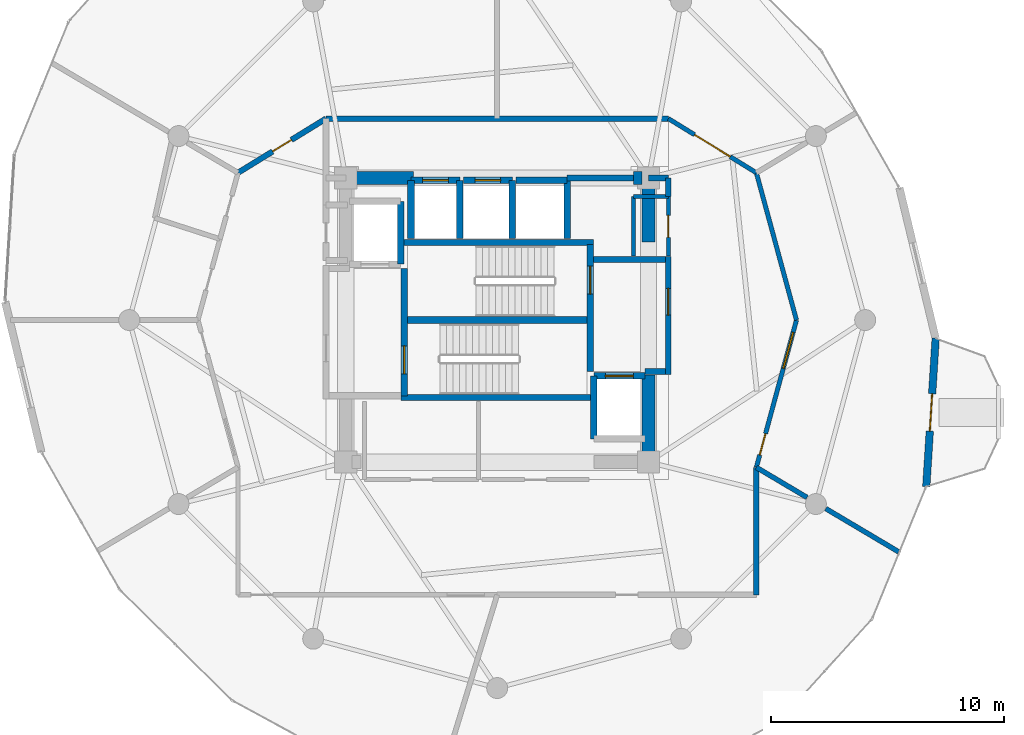
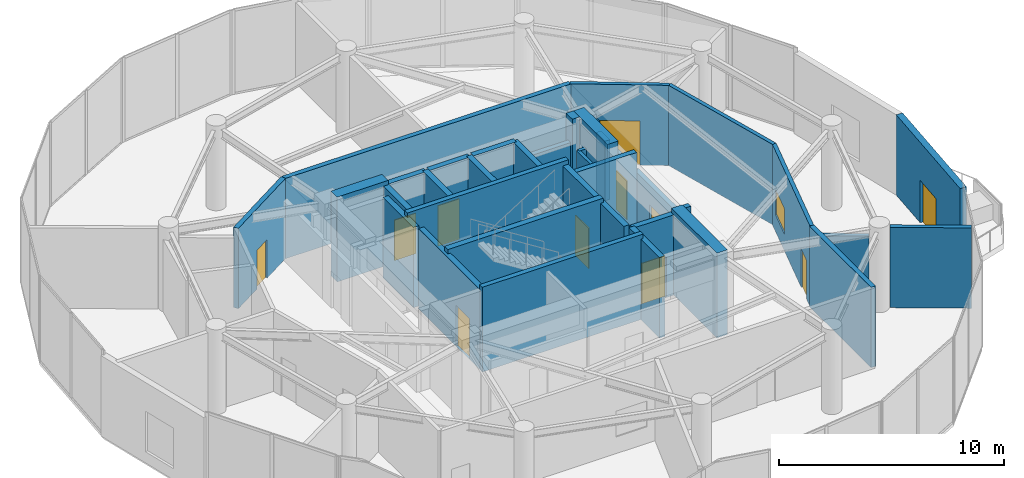
# One storey, part 20 of 23: 37 walls, 11 doors, 1 window, 12 openings.
"""IFC4 building model written with IfcOpenShell, lengths in metres."""

from ifc_helpers import new_model, si_unit, direction, frame, frame_2d, origin, place, context, subcontext, project, spatial, rectangle, extrude, material, layer, layer_set, type_object, element, fill, save


model = new_model("IFC4")

# Units and contexts
model_context = context("Model", 3, precision=1e-05, world=origin(), true_north=direction((0.0, 1.0)))
body_context = subcontext(model_context, "Body", "Model", "MODEL_VIEW")
ifc_project = project(units=[si_unit("LENGTHUNIT", "METRE"), si_unit("AREAUNIT", "SQUARE_METRE"), si_unit("VOLUMEUNIT", "CUBIC_METRE"), si_unit("PLANEANGLEUNIT", "RADIAN"), si_unit("MASSUNIT", "GRAM", prefix="KILO")], contexts=[model_context])

# Site, building, storey
site_placement = place(None, origin())
site = spatial("IfcSite", under=ifc_project, at=site_placement, CompositionType="ELEMENT")
building_placement = place(site_placement, origin())
building = spatial("IfcBuilding", under=site, at=building_placement, Name="Solvirekh Grand Hotel", CompositionType="ELEMENT")
storey_placement = place(building_placement, frame((0.0, 0.0, 168.60009765625)))
storey = spatial("IfcBuildingStorey", under=building, at=storey_placement, Name="L43", CompositionType="ELEMENT", Elevation=168.60009765625)

# Walls
ifc_material_1 = material(Name="Concrete C50/60", Category="concrete")
ifc_layer_1 = layer(ifc_material_1, 0.35009765625)
ifc_layer_set_1 = layer_set([ifc_layer_1], Name="Concrete C50/60")
wall_type_1 = type_object("IfcWallType", Name="CoreDivWall_RC350", PredefinedType="SOLIDWALL", material=ifc_layer_set_1)
for number, where, z_axis, x_axis, name in (
    (1, (-4.1298828125, -3.324951171875, 0.0), (0.0, 0.0, 1.0), (1.0, 0.0, 0.0), "L43 core stair box wall ST-S"),
    (2, (-4.1298828125, 3.324951171875, 0.0), (0.0, 0.0, 1.0), (1.0, 0.0, 0.0), "L43 core stair box wall ST-N"),
):
    element("IfcWall", number, at=place(storey_placement, frame(where, z_axis=z_axis, x_axis=x_axis)), inside=storey, type_object=wall_type_1, Name=name, PredefinedType="SOLIDWALL", context=body_context, shape_type="SweptSolid", body=[
        extrude(rectangle(XDim=8.259765625, YDim=0.25, at=frame_2d((4.1298828125, 0.0))), origin(), (0.0, 0.0, 1.0), 4.599853515625),
    ])

# Wall, opening, door
ifc_material_2 = material(Name="Concrete C40/50", Category="concrete")
ifc_layer_2 = layer(ifc_material_2, 0.280029296875)
ifc_layer_set_2 = layer_set([ifc_layer_2], Name="Concrete C40/50")
wall_type_2 = type_object("IfcWallType", Name="CoreShaftWall_RC280", PredefinedType="SOLIDWALL", material=ifc_layer_set_2)
wall_1_placement = place(storey_placement, frame((-1.60009765625, 6.0, 0.0), z_axis=(0.0, 0.0, 1.0), x_axis=(-1.0, 0.0, 0.0)))
wall_1 = element("IfcWall", 3, at=wall_1_placement, inside=storey, type_object=wall_type_2, Name="L43 HP-1 hoistway N wall", PredefinedType="SOLIDWALL", context=body_context, shape_type="SweptSolid", body=[
    extrude(rectangle(XDim=2.099853515625, YDim=0.280029296875, at=frame_2d((1.0498046875, 0.0))), origin(), (0.0, 0.0, 1.0), 4.35986328125),
])
opening_1_placement = place(wall_1_placement, frame((0.5, 0.0, 0.0)))
opening_1 = element("IfcOpeningElement", 4, at=opening_1_placement, cuts=wall_1, Name="Opening LD01", PredefinedType="OPENING", context=body_context, shape_type="SweptSolid", body=[
    extrude(rectangle(XDim=1.10009765625, YDim=2.199951171875, at=frame_2d((0.550048828125, 1.10009765625))), frame((0.0, 0.14990234375, 0.0), z_axis=(0.0, -1.0, 0.0), x_axis=(1.0, 0.0, 0.0)), (0.0, 0.0, 1.0), 0.300048828125),
])
ifc_material_3 = material(Name="Fire-Rated Steel Door Assembly", Category="steel")
door_type_1 = type_object("IfcDoorType", Name="Door_LiftLanding_1100X2200", OperationType="SLIDING_TO_LEFT", PredefinedType="DOOR", material=ifc_material_3)
door_1_placement = place(opening_1_placement, origin())
door_1 = element("IfcDoor", 5, at=door_1_placement, inside=storey, type_object=door_type_1, Name="L43 HP-1 sliding lift landing door", OperationType="SLIDING_TO_LEFT", OverallHeight=2.199951171875, OverallWidth=1.10009765625, PredefinedType="DOOR", context=body_context, shape_type="SweptSolid", body=[
    extrude(rectangle(XDim=1.10009765625, YDim=2.199951171875, at=frame_2d((0.550048828125, 1.10009765625))), frame((0.0, 0.02490234375, 0.0), z_axis=(0.0, -1.0, 0.0), x_axis=(1.0, 0.0, 0.0)), (0.0, 0.0, 1.0), 0.050048828125),
])
fill(opening_1, door_1)

# Walls
for number, where, z_axis, x_axis, name in (
    (6, (-3.699951171875, 6.0, 0.0), (0.0, 0.0, 1.0), (0.0, -1.0, 0.0), "L43 HP-1 hoistway W wall"),
    (7, (-1.60009765625, 3.5, 0.0), (0.0, 0.0, 1.0), (0.0, 1.0, 0.0), "L43 HP-1 hoistway E wall"),
):
    element("IfcWall", number, at=place(storey_placement, frame(where, z_axis=z_axis, x_axis=x_axis)), inside=storey, type_object=wall_type_2, Name=name, PredefinedType="SOLIDWALL", context=body_context, shape_type="SweptSolid", body=[
        extrude(rectangle(XDim=2.5, YDim=0.280029296875, at=frame_2d((1.25, 0.0))), origin(), (0.0, 0.0, 1.0), 4.35986328125),
    ])

# Wall, opening, door
wall_2_placement = place(storey_placement, frame((0.64990234375, 6.0, 0.0), z_axis=(0.0, 0.0, 1.0), x_axis=(-1.0, 0.0, 0.0)))
wall_2 = element("IfcWall", 8, at=wall_2_placement, inside=storey, type_object=wall_type_2, Name="L43 HP-2 hoistway N wall", PredefinedType="SOLIDWALL", context=body_context, shape_type="SweptSolid", body=[
    extrude(rectangle(XDim=2.099853515625, YDim=0.280029296875, at=frame_2d((1.0498046875, 0.0))), origin(), (0.0, 0.0, 1.0), 4.35986328125),
])
opening_2_placement = place(wall_2_placement, frame((0.5, 0.0, 0.0)))
opening_2 = element("IfcOpeningElement", 9, at=opening_2_placement, cuts=wall_2, Name="Opening LD01", PredefinedType="OPENING", context=body_context, shape_type="SweptSolid", body=[
    extrude(rectangle(XDim=1.10009765625, YDim=2.199951171875, at=frame_2d((0.550048828125, 1.10009765625))), frame((0.0, 0.14990234375, 0.0), z_axis=(0.0, -1.0, 0.0), x_axis=(1.0, 0.0, 0.0)), (0.0, 0.0, 1.0), 0.300048828125),
])
door_2_placement = place(opening_2_placement, origin())
door_2 = element("IfcDoor", 10, at=door_2_placement, inside=storey, type_object=door_type_1, Name="L43 HP-2 sliding lift landing door", OperationType="SLIDING_TO_LEFT", OverallHeight=2.199951171875, OverallWidth=1.10009765625, PredefinedType="DOOR", context=body_context, shape_type="SweptSolid", body=[
    extrude(rectangle(XDim=1.10009765625, YDim=2.199951171875, at=frame_2d((0.550048828125, 1.10009765625))), frame((0.0, 0.02490234375, 0.0), z_axis=(0.0, -1.0, 0.0), x_axis=(1.0, 0.0, 0.0)), (0.0, 0.0, 1.0), 0.050048828125),
])
fill(opening_2, door_2)

# Walls
wall_3_placement = place(storey_placement, frame((0.64990234375, 3.5, 0.0), z_axis=(0.0, 0.0, 1.0), x_axis=(0.0, 1.0, 0.0)))
element("IfcWall", 11, at=wall_3_placement, inside=storey, type_object=wall_type_2, Name="L43 HP-2 hoistway E wall", PredefinedType="SOLIDWALL", context=body_context, shape_type="SweptSolid", body=[
    extrude(rectangle(XDim=2.5, YDim=0.280029296875, at=frame_2d((1.25, 0.0))), origin(), (0.0, 0.0, 1.0), 4.35986328125),
])
wall_4_placement = place(storey_placement, frame((3.0, 6.0, 0.0), z_axis=(0.0, 0.0, 1.0), x_axis=(-1.0, 0.0, 0.0)))
element("IfcWall", 12, at=wall_4_placement, inside=storey, type_object=wall_type_2, Name="L43 EX-1 hoistway N wall", PredefinedType="SOLIDWALL", context=body_context, shape_type="SweptSolid", body=[
    extrude(rectangle(XDim=2.199951171875, YDim=0.280029296875, at=frame_2d((1.10009765625, 0.0))), origin(), (0.0, 0.0, 1.0), 4.35986328125),
])
wall_5_placement = place(storey_placement, frame((3.0, 3.5, 0.0), z_axis=(0.0, 0.0, 1.0), x_axis=(0.0, 1.0, 0.0)))
element("IfcWall", 13, at=wall_5_placement, inside=storey, type_object=wall_type_2, Name="L43 EX-1 hoistway E wall", PredefinedType="SOLIDWALL", context=body_context, shape_type="SweptSolid", body=[
    extrude(rectangle(XDim=2.5, YDim=0.280029296875, at=frame_2d((1.25, 0.0))), origin(), (0.0, 0.0, 1.0), 4.35986328125),
])
wall_6_placement = place(storey_placement, frame((-4.14990234375, 2.39990234375, 0.0), z_axis=(0.0, 0.0, 1.0), x_axis=(0.0, 1.0, 0.0)))
element("IfcWall", 14, at=wall_6_placement, inside=storey, type_object=wall_type_2, Name="L43 FL-1 hoistway E wall", PredefinedType="SOLIDWALL", context=body_context, shape_type="SweptSolid", body=[
    extrude(rectangle(XDim=2.7001953125, YDim=0.280029296875, at=frame_2d((1.35009765625, 0.0))), origin(), (0.0, 0.0, 1.0), 4.35986328125),
])

# Wall, opening, door
wall_7_placement = place(storey_placement, frame((6.35009765625, -2.39990234375, 0.0), z_axis=(0.0, 0.0, 1.0), x_axis=(-1.0, 0.0, 0.0)))
wall_7 = element("IfcWall", 15, at=wall_7_placement, inside=storey, type_object=wall_type_2, Name="L43 FL-2 hoistway N wall", PredefinedType="SOLIDWALL", context=body_context, shape_type="SweptSolid", body=[
    extrude(rectangle(XDim=2.2001953125, YDim=0.280029296875, at=frame_2d((1.10009765625, 0.0))), origin(), (0.0, 0.0, 1.0), 4.35986328125),
])
opening_3_placement = place(wall_7_placement, frame((0.5, 0.0, 0.0)))
opening_3 = element("IfcOpeningElement", 16, at=opening_3_placement, cuts=wall_7, Name="Opening LD02", PredefinedType="OPENING", context=body_context, shape_type="SweptSolid", body=[
    extrude(rectangle(XDim=1.199951171875, YDim=2.199951171875, at=frame_2d((0.60009765625, 1.10009765625))), frame((0.0, 0.14990234375, 0.0), z_axis=(0.0, -1.0, 0.0), x_axis=(1.0, 0.0, 0.0)), (0.0, 0.0, 1.0), 0.300048828125),
])
door_type_2 = type_object("IfcDoorType", Name="Door_LiftFF_1200X2200", OperationType="SLIDING_TO_LEFT", PredefinedType="DOOR", material=ifc_material_3)
door_3_placement = place(opening_3_placement, origin())
door_3 = element("IfcDoor", 17, at=door_3_placement, inside=storey, type_object=door_type_2, Name="L43 FL-2 sliding lift landing door", OperationType="SLIDING_TO_LEFT", OverallHeight=2.199951171875, OverallWidth=1.199951171875, PredefinedType="DOOR", context=body_context, shape_type="SweptSolid", body=[
    extrude(rectangle(XDim=1.199951171875, YDim=2.199951171875, at=frame_2d((0.60009765625, 1.10009765625))), frame((0.0, 0.02490234375, 0.0), z_axis=(0.0, -1.0, 0.0), x_axis=(1.0, 0.0, 0.0)), (0.0, 0.0, 1.0), 0.050048828125),
])
fill(opening_3, door_3)

# Wall
wall_8_placement = place(storey_placement, frame((4.14990234375, -2.39990234375, 0.0), z_axis=(0.0, 0.0, 1.0), x_axis=(0.0, -1.0, 0.0)))
element("IfcWall", 18, at=wall_8_placement, inside=storey, type_object=wall_type_2, Name="L43 FL-2 hoistway W wall", PredefinedType="SOLIDWALL", context=body_context, shape_type="SweptSolid", body=[
    extrude(rectangle(XDim=2.7001953125, YDim=0.280029296875, at=frame_2d((1.35009765625, 0.0))), origin(), (0.0, 0.0, 1.0), 4.35986328125),
])

# Wall, opening, door
wall_9_placement = place(storey_placement, frame((-3.989990234375, -3.25, 0.0), z_axis=(0.0, 0.0, 1.0), x_axis=(0.0, 1.0, 0.0)))
wall_9 = element("IfcWall", 19, at=wall_9_placement, inside=storey, type_object=wall_type_2, Name="L43 west stair landing enclosure wall", PredefinedType="SOLIDWALL", context=body_context, shape_type="SweptSolid", body=[
    extrude(rectangle(XDim=5.4599609375, YDim=0.280029296875, at=frame_2d((2.72998046875, 0.0))), origin(), (0.0, 0.0, 1.0), 4.35986328125),
])
opening_4_placement = place(wall_9_placement, frame((0.93701171875, 0.0, 0.0)))
opening_4 = element("IfcOpeningElement", 20, at=opening_4_placement, cuts=wall_9, Name="Opening D05", PredefinedType="OPENING", context=body_context, shape_type="SweptSolid", body=[
    extrude(rectangle(XDim=1.199951171875, YDim=2.199951171875, at=frame_2d((0.60009765625, 1.10009765625))), frame((0.0, 0.14990234375, 0.0), z_axis=(0.0, -1.0, 0.0), x_axis=(1.0, 0.0, 0.0)), (0.0, 0.0, 1.0), 0.300048828125),
])
door_type_3 = type_object("IfcDoorType", Name="Door_StairCore_1200X2200", OperationType="NOTDEFINED", PredefinedType="DOOR", material=ifc_material_3)
door_4_placement = place(opening_4_placement, origin())
door_4 = element("IfcDoor", 21, at=door_4_placement, inside=storey, type_object=door_type_3, Name="L43 exit stair ST-1 fire door", OperationType="SINGLE_SWING_LEFT", OverallHeight=2.199951171875, OverallWidth=1.199951171875, PredefinedType="DOOR", context=body_context, shape_type="SweptSolid", body=[
    extrude(rectangle(XDim=1.199951171875, YDim=2.199951171875, at=frame_2d((0.60009765625, 1.10009765625))), frame((0.0, 0.02490234375, 0.0), z_axis=(0.0, -1.0, 0.0), x_axis=(1.0, 0.0, 0.0)), (0.0, 0.0, 1.0), 0.050048828125),
])
fill(opening_4, door_4)

wall_10_placement = place(storey_placement, frame((3.989990234375, -2.2099609375, 0.0), z_axis=(0.0, 0.0, 1.0), x_axis=(0.0, 1.0, 0.0)))
wall_10 = element("IfcWall", 22, at=wall_10_placement, inside=storey, type_object=wall_type_2, Name="L43 east stair landing enclosure wall", PredefinedType="SOLIDWALL", context=body_context, shape_type="SweptSolid", body=[
    extrude(rectangle(XDim=5.4599609375, YDim=0.280029296875, at=frame_2d((2.72998046875, 0.0))), origin(), (0.0, 0.0, 1.0), 4.35986328125),
])
opening_5_placement = place(wall_10_placement, frame((3.322998046875, 0.0, 0.0)))
opening_5 = element("IfcOpeningElement", 23, at=opening_5_placement, cuts=wall_10, Name="Opening D05", PredefinedType="OPENING", context=body_context, shape_type="SweptSolid", body=[
    extrude(rectangle(XDim=1.199951171875, YDim=2.199951171875, at=frame_2d((0.60009765625, 1.10009765625))), frame((0.0, 0.14990234375, 0.0), z_axis=(0.0, -1.0, 0.0), x_axis=(1.0, 0.0, 0.0)), (0.0, 0.0, 1.0), 0.300048828125),
])
door_5_placement = place(opening_5_placement, origin())
door_5 = element("IfcDoor", 24, at=door_5_placement, inside=storey, type_object=door_type_3, Name="L43 exit stair ST-2 fire door", OperationType="SINGLE_SWING_RIGHT", OverallHeight=2.199951171875, OverallWidth=1.199951171875, PredefinedType="DOOR", context=body_context, shape_type="SweptSolid", body=[
    extrude(rectangle(XDim=1.199951171875, YDim=2.199951171875, at=frame_2d((0.60009765625, 1.10009765625))), frame((0.0, 0.02490234375, 0.0), z_axis=(0.0, -1.0, 0.0), x_axis=(1.0, 0.0, 0.0)), (0.0, 0.0, 1.0), 0.050048828125),
])
fill(opening_5, door_5)

# Walls
ifc_layer_3 = layer(ifc_material_1, 0.550048828125)
ifc_layer_set_3 = layer_set([ifc_layer_3], Name="Concrete C50/60")
wall_type_3 = type_object("IfcWallType", Name="CoreWall_RC550", PredefinedType="SHEAR", material=ifc_layer_set_3)
wall_11_placement = place(storey_placement, frame((-3.989990234375, 0.0, 0.0), z_axis=(0.0, 0.0, 1.0), x_axis=(1.0, 0.0, 0.0)))
element("IfcWall", 25, at=wall_11_placement, inside=storey, type_object=wall_type_3, Name="L43 central stair-spine shear wall", PredefinedType="SHEAR", context=body_context, shape_type="SweptSolid", body=[
    extrude(rectangle(XDim=7.97998046875, YDim=0.300048828125, at=frame_2d((3.989990234375, 0.0))), origin(), (0.0, 0.0, 1.0), 4.599853515625),
])
wall_12_placement = place(storey_placement, frame((-6.22509765625, 6.10009765625, 0.0), z_axis=(0.0, 0.0, 1.0), x_axis=(1.0, 0.0, 0.0)))
element("IfcWall", 26, at=wall_12_placement, inside=storey, type_object=wall_type_3, Name="L43 core corner shear wall NW-N", PredefinedType="SHEAR", context=body_context, shape_type="SweptSolid", body=[
    extrude(rectangle(XDim=2.625, YDim=0.550048828125, at=frame_2d((1.3125, 0.0))), origin(), (0.0, 0.0, 1.0), 4.599853515625),
])
wall_13_placement = place(storey_placement, frame((5.85009765625, 6.10009765625, 0.0), z_axis=(0.0, 0.0, 1.0), x_axis=(1.0, 0.0, 0.0)))
element("IfcWall", 27, at=wall_13_placement, inside=storey, type_object=wall_type_3, Name="L43 core corner shear wall NE-N", PredefinedType="SHEAR", context=body_context, shape_type="SweptSolid", body=[
    extrude(rectangle(XDim=0.375, YDim=0.550048828125, at=frame_2d((0.1875, 0.0))), origin(), (0.0, 0.0, 1.0), 4.599853515625),
])
wall_14_placement = place(storey_placement, frame((6.5, -6.375, 0.0), z_axis=(0.0, 0.0, 1.0), x_axis=(0.0, 1.0, 0.0)))
element("IfcWall", 28, at=wall_14_placement, inside=storey, type_object=wall_type_3, Name="L43 core corner shear wall ES-E", PredefinedType="SHEAR", context=body_context, shape_type="SweptSolid", body=[
    extrude(rectangle(XDim=4.02490234375, YDim=0.550048828125, at=frame_2d((2.012451171875, 0.0))), origin(), (0.0, 0.0, 1.0), 4.599853515625),
])
wall_15_placement = place(storey_placement, frame((6.5, 3.35009765625, 0.0), z_axis=(0.0, 0.0, 1.0), x_axis=(0.0, 1.0, 0.0)))
element("IfcWall", 29, at=wall_15_placement, inside=storey, type_object=wall_type_3, Name="L43 core corner shear wall EN-E", PredefinedType="SHEAR", context=body_context, shape_type="SweptSolid", body=[
    extrude(rectangle(XDim=3.02490234375, YDim=0.550048828125, at=frame_2d((1.512451171875, 0.0))), origin(), (0.0, 0.0, 1.0), 4.599853515625),
])

# Wall, opening, door
ifc_material_4 = material(Name="Precast concrete C45/55", Category="concrete")
ifc_layer_4 = layer(ifc_material_4, 0.320068359375)
ifc_layer_set_4 = layer_set([ifc_layer_4], Name="Precast concrete C45/55")
wall_type_4 = type_object("IfcWallType", Name="ExtLobbyWall_RC320", PredefinedType="SOLIDWALL", material=ifc_layer_set_4)
wall_16_placement = place(storey_placement, frame((18.827880859375, -0.778076171875, 0.0), z_axis=(0.0, 0.0, 1.0), x_axis=(-0.063196547475, -0.998001100394, 0.0)))
wall_16 = element("IfcWall", 30, at=wall_16_placement, inside=storey, type_object=wall_type_4, Name="L43 exterior structural wall chord 3", PredefinedType="SOLIDWALL", context=body_context, shape_type="SweptSolid", body=[
    extrude(rectangle(XDim=6.3896484375, YDim=0.320068359375, at=frame_2d((3.19482421875, 0.0))), origin(), (0.0, 0.0, 1.0), 4.35986328125),
])
opening_6_placement = place(wall_16_placement, frame((2.39501953125, 0.0, 0.0)))
opening_6 = element("IfcOpeningElement", 31, at=opening_6_placement, cuts=wall_16, Name="Opening D04", PredefinedType="OPENING", context=body_context, shape_type="SweptSolid", body=[
    extrude(rectangle(XDim=1.60009765625, YDim=2.300048828125, at=frame_2d((0.800048828125, 1.14990234375))), frame((0.0, 0.169921875, 0.0), z_axis=(0.0, -1.0, 0.0), x_axis=(1.0, 0.0, 0.0)), (0.0, 0.0, 1.0), 0.340087890625),
])
ifc_material_5 = material(Name="Anodized Bronze Aluminium 6063-T6", Category="aluminium")
door_type_4 = type_object("IfcDoorType", Name="Door_ExtTerrace_1600X2300", OperationType="NOTDEFINED", PredefinedType="DOOR", material=ifc_material_5)
door_6_placement = place(opening_6_placement, origin())
door_6 = element("IfcDoor", 32, at=door_6_placement, inside=storey, type_object=door_type_4, Name="L43 East horn sky-garden terrace door (3)", OperationType="SINGLE_SWING_LEFT", OverallHeight=2.300048828125, OverallWidth=1.60009765625, PredefinedType="DOOR", context=body_context, shape_type="SweptSolid", body=[
    extrude(rectangle(XDim=1.60009765625, YDim=2.300048828125, at=frame_2d((0.800048828125, 1.14990234375))), frame((0.0, 0.02490234375, 0.0), z_axis=(0.0, -1.0, 0.0), x_axis=(1.0, 0.0, 0.0)), (0.0, 0.0, 1.0), 0.050048828125),
])
fill(opening_6, door_6)

ifc_material_6 = material(Name="Acoustic Gypsum Partition Assembly")
ifc_layer_5 = layer(ifc_material_6, 0.1650390625)
ifc_layer_set_5 = layer_set([ifc_layer_5], Name="Acoustic Gypsum Partition Assembly")
wall_type_5 = type_object("IfcWallType", Name="Part_BOH_165", PredefinedType="PARTITIONING", material=ifc_layer_set_5)
wall_17_placement = place(storey_placement, frame((7.35009765625, 2.75, 0.0), z_axis=(0.0, 0.0, 1.0), x_axis=(0.0, 1.0, 0.0)))
wall_17 = element("IfcWall", 33, at=wall_17_placement, inside=storey, type_object=wall_type_5, Name="L43 L43 Core Housekeeping & Linen Room wall 2", PredefinedType="PARTITIONING", context=body_context, shape_type="SweptSolid", body=[
    extrude(rectangle(XDim=2.550048828125, YDim=0.1650390625, at=frame_2d((1.27490234375, 0.0))), origin(), (0.0, 0.0, 1.0), 3.244873046875),
])
opening_7_placement = place(wall_17_placement, frame((0.800048828125, 0.0, 0.0)))
opening_7 = element("IfcOpeningElement", 34, at=opening_7_placement, cuts=wall_17, Name="Opening D10", PredefinedType="OPENING", context=body_context, shape_type="SweptSolid", body=[
    extrude(rectangle(XDim=0.949951171875, YDim=2.10009765625, at=frame_2d((0.47509765625, 1.050048828125))), frame((0.0, 0.092529296875, 0.0), z_axis=(0.0, -1.0, 0.0), x_axis=(1.0, 0.0, 0.0)), (0.0, 0.0, 1.0), 0.18505859375),
])
door_type_5 = type_object("IfcDoorType", Name="Door_RoomInt_950X2100", OperationType="NOTDEFINED", PredefinedType="DOOR", material=ifc_material_5)
door_7_placement = place(opening_7_placement, origin())
door_7 = element("IfcDoor", 35, at=door_7_placement, inside=storey, type_object=door_type_5, Name="L43 L43 Core Housekeeping & Linen Room door", OperationType="SINGLE_SWING_RIGHT", OverallHeight=2.10009765625, OverallWidth=0.949951171875, PredefinedType="DOOR", context=body_context, shape_type="SweptSolid", body=[
    extrude(rectangle(XDim=0.949951171875, YDim=2.10009765625, at=frame_2d((0.47509765625, 1.050048828125))), frame((0.0, 0.02490234375, 0.0), z_axis=(0.0, -1.0, 0.0), x_axis=(1.0, 0.0, 0.0)), (0.0, 0.0, 1.0), 0.050048828125),
])
fill(opening_7, door_7)

# Walls
wall_18_placement = place(storey_placement, frame((7.35009765625, 5.300048828125, 0.0), z_axis=(0.0, 0.0, 1.0), x_axis=(-1.0, 0.0, 0.0)))
element("IfcWall", 36, at=wall_18_placement, inside=storey, type_object=wall_type_5, Name="L43 L43 Core Housekeeping & Linen Room wall 3", PredefinedType="PARTITIONING", context=body_context, shape_type="SweptSolid", body=[
    extrude(rectangle(XDim=1.5, YDim=0.1650390625, at=frame_2d((0.75, 0.0))), origin(), (0.0, 0.0, 1.0), 3.244873046875),
])
wall_19_placement = place(storey_placement, frame((5.85009765625, 5.300048828125, 0.0), z_axis=(0.0, 0.0, 1.0), x_axis=(0.0, -1.0, 0.0)))
element("IfcWall", 37, at=wall_19_placement, inside=storey, type_object=wall_type_5, Name="L43 L43 Core Housekeeping & Linen Room wall 4", PredefinedType="PARTITIONING", context=body_context, shape_type="SweptSolid", body=[
    extrude(rectangle(XDim=2.550048828125, YDim=0.1650390625, at=frame_2d((1.27490234375, 0.0))), origin(), (0.0, 0.0, 1.0), 3.244873046875),
])

# Wall, opening, door
ifc_layer_6 = layer(ifc_material_6, 0.239990234375)
ifc_layer_set_6 = layer_set([ifc_layer_6], Name="Acoustic Gypsum Partition Assembly")
wall_type_6 = type_object("IfcWallType", Name="Part_Corridor_240", PredefinedType="PARTITIONING", material=ifc_layer_set_6)
wall_20_placement = place(storey_placement, frame((7.35009765625, -2.340087890625, 0.0), z_axis=(0.0, 0.0, 1.0), x_axis=(0.0, 1.0, 0.0)))
wall_20 = element("IfcWall", 38, at=wall_20_placement, inside=storey, type_object=wall_type_6, Name="L43 east firefighting lobby smoke screen wall", PredefinedType="PARTITIONING", context=body_context, shape_type="SweptSolid", body=[
    extrude(rectangle(XDim=5.070068359375, YDim=0.239990234375, at=frame_2d((2.53515625, 0.0))), origin(), (0.0, 0.0, 1.0), 3.244873046875),
])
opening_8_placement = place(wall_20_placement, frame((2.548095703125, 0.0, 0.0)))
opening_8 = element("IfcOpeningElement", 39, at=opening_8_placement, cuts=wall_20, Name="Opening D06", PredefinedType="OPENING", context=body_context, shape_type="SweptSolid", body=[
    extrude(rectangle(XDim=1.14990234375, YDim=2.199951171875, at=frame_2d((0.574951171875, 1.10009765625))), frame((0.0, 0.1298828125, 0.0), z_axis=(0.0, -1.0, 0.0), x_axis=(1.0, 0.0, 0.0)), (0.0, 0.0, 1.0), 0.260009765625),
])
door_type_6 = type_object("IfcDoorType", Name="Door_FFLobby_1150X2200", OperationType="NOTDEFINED", PredefinedType="DOOR", material=ifc_material_3)
door_8_placement = place(opening_8_placement, origin())
door_8 = element("IfcDoor", 40, at=door_8_placement, inside=storey, type_object=door_type_6, Name="L43 east firefighting lobby smoke door", OperationType="SINGLE_SWING_RIGHT", OverallHeight=2.199951171875, OverallWidth=1.14990234375, PredefinedType="DOOR", context=body_context, shape_type="SweptSolid", body=[
    extrude(rectangle(XDim=1.14990234375, YDim=2.199951171875, at=frame_2d((0.574951171875, 1.10009765625))), frame((0.0, 0.02490234375, 0.0), z_axis=(0.0, -1.0, 0.0), x_axis=(1.0, 0.0, 0.0)), (0.0, 0.0, 1.0), 0.050048828125),
])
fill(opening_8, door_8)

# Walls
wall_21_placement = place(storey_placement, frame((-7.35009765625, 8.64990234375, 0.0), z_axis=(0.0, 0.0, 1.0), x_axis=(1.0, 0.0, 0.0)))
element("IfcWall", 41, at=wall_21_placement, inside=storey, type_object=wall_type_6, Name="L43 north lift lobby enclosure wall", PredefinedType="PARTITIONING", context=body_context, shape_type="SweptSolid", body=[
    extrude(rectangle(XDim=14.7001953125, YDim=0.239990234375, at=frame_2d((7.35009765625, 0.0))), origin(), (0.0, 0.0, 1.0), 4.35986328125),
])
wall_22_placement = place(storey_placement, frame((3.0, 6.10009765625, 0.0), z_axis=(0.0, 0.0, 1.0), x_axis=(1.0, 0.0, 0.0)))
element("IfcWall", 42, at=wall_22_placement, inside=storey, type_object=wall_type_6, Name="L43 north core shaft infill wall", PredefinedType="PARTITIONING", context=body_context, shape_type="SweptSolid", body=[
    extrude(rectangle(XDim=2.85009765625, YDim=0.239990234375, at=frame_2d((1.425048828125, 0.0))), origin(), (0.0, 0.0, 1.0), 3.244873046875),
])
wall_23_placement = place(storey_placement, frame((7.35009765625, 5.300048828125, 0.0), z_axis=(0.0, 0.0, 1.0), x_axis=(0.0, 1.0, 0.0)))
element("IfcWall", 43, at=wall_23_placement, inside=storey, type_object=wall_type_6, Name="L43 NE core cheek closure wall", PredefinedType="PARTITIONING", context=body_context, shape_type="SweptSolid", body=[
    extrude(rectangle(XDim=0.800048828125, YDim=0.239990234375, at=frame_2d((0.39990234375, 0.0))), origin(), (0.0, 0.0, 1.0), 3.244873046875),
])
wall_24_placement = place(storey_placement, frame((6.5, 6.10009765625, 0.0), z_axis=(0.0, 0.0, 1.0), x_axis=(1.0, 0.0, 0.0)))
element("IfcWall", 44, at=wall_24_placement, inside=storey, type_object=wall_type_6, Name="L43 NE core corner tie wall", PredefinedType="PARTITIONING", context=body_context, shape_type="SweptSolid", body=[
    extrude(rectangle(XDim=0.85009765625, YDim=0.239990234375, at=frame_2d((0.425048828125, 0.0))), origin(), (0.0, 0.0, 1.0), 3.876953125),
])

# Wall, opening, door
wall_25_placement = place(storey_placement, frame((-11.1279296875, 6.324951171875, 0.0), z_axis=(0.0, 0.0, 1.0), x_axis=(0.851645088617, 0.524118920699, 0.0)))
wall_25 = element("IfcWall", 45, at=wall_25_placement, inside=storey, type_object=wall_type_6, Name="L43 Ambassador Club Concierge Office corridor wall", PredefinedType="PARTITIONING", context=body_context, shape_type="SweptSolid", body=[
    extrude(rectangle(XDim=4.43603515625, YDim=0.239990234375, at=frame_2d((2.218017578125, 0.0))), origin(), (0.0, 0.0, 1.0), 4.35986328125),
])
opening_9_placement = place(wall_25_placement, frame((1.742919921875, 0.0, 0.0)))
opening_9 = element("IfcOpeningElement", 46, at=opening_9_placement, cuts=wall_25, Name="Opening D10", PredefinedType="OPENING", context=body_context, shape_type="SweptSolid", body=[
    extrude(rectangle(XDim=0.949951171875, YDim=2.10009765625, at=frame_2d((0.47509765625, 1.050048828125))), frame((0.0, 0.1298828125, 0.0), z_axis=(0.0, -1.0, 0.0), x_axis=(1.0, 0.0, 0.0)), (0.0, 0.0, 1.0), 0.260009765625),
])
door_9_placement = place(opening_9_placement, origin())
door_9 = element("IfcDoor", 47, at=door_9_placement, inside=storey, type_object=door_type_5, Name="L43 Ambassador Club Concierge Office entrance door", OperationType="SINGLE_SWING_RIGHT", OverallHeight=2.10009765625, OverallWidth=0.949951171875, PredefinedType="DOOR", context=body_context, shape_type="SweptSolid", body=[
    extrude(rectangle(XDim=0.949951171875, YDim=2.10009765625, at=frame_2d((0.47509765625, 1.050048828125))), frame((0.0, 0.02490234375, 0.0), z_axis=(0.0, -1.0, 0.0), x_axis=(1.0, 0.0, 0.0)), (0.0, 0.0, 1.0), 0.050048828125),
])
fill(opening_9, door_9)

# Wall
wall_26_placement = place(storey_placement, frame((11.1279296875, -11.800048828125, 0.0), z_axis=(0.0, 0.0, 1.0), x_axis=(0.0, 1.0, 0.0)))
element("IfcWall", 48, at=wall_26_placement, inside=storey, type_object=wall_type_6, Name="L43 L43 Butler Valet & Linen Steward Room corridor wall 2", PredefinedType="PARTITIONING", context=body_context, shape_type="SweptSolid", body=[
    extrude(rectangle(XDim=5.47509765625, YDim=0.239990234375, at=frame_2d((2.737548828125, 0.0))), origin(), (0.0, 0.0, 1.0), 4.35986328125),
])

# Wall, opening, door
ifc_layer_7 = layer(ifc_material_6, 0.18994140625)
ifc_layer_set_7 = layer_set([ifc_layer_7], Name="Acoustic Gypsum Partition Assembly")
wall_type_7 = type_object("IfcWallType", Name="Part_GuestDemise_190", PredefinedType="PARTITIONING", material=ifc_layer_set_7)
wall_27_placement = place(storey_placement, frame((7.35009765625, 8.64990234375, 0.0), z_axis=(0.0, 0.0, 1.0), x_axis=(0.851645088617, -0.524118920699, 0.0)))
wall_27 = element("IfcWall", 49, at=wall_27_placement, inside=storey, type_object=wall_type_7, Name="L43 Upper Sky Lobby corridor wall", PredefinedType="PARTITIONING", context=body_context, shape_type="SweptSolid", body=[
    extrude(rectangle(XDim=4.43603515625, YDim=0.18994140625, at=frame_2d((2.218017578125, 0.0))), origin(), (0.0, 0.0, 1.0), 4.35986328125),
])
opening_10_placement = place(wall_27_placement, frame((1.318115234375, 0.0, 0.0)))
opening_10 = element("IfcOpeningElement", 50, at=opening_10_placement, cuts=wall_27, Name="Opening D11", PredefinedType="OPENING", context=body_context, shape_type="SweptSolid", body=[
    extrude(rectangle(XDim=1.800048828125, YDim=2.39990234375, at=frame_2d((0.89990234375, 1.199951171875))), frame((0.0, 0.10498046875, 0.0), z_axis=(0.0, -1.0, 0.0), x_axis=(1.0, 0.0, 0.0)), (0.0, 0.0, 1.0), 0.2099609375),
])
door_type_7 = type_object("IfcDoorType", Name="Door_Ballroom_1800X2400", OperationType="NOTDEFINED", PredefinedType="DOOR", material=ifc_material_3)
door_10_placement = place(opening_10_placement, origin())
door_10 = element("IfcDoor", 51, at=door_10_placement, inside=storey, type_object=door_type_7, Name="L43 Upper Sky Lobby entrance door", OperationType="SINGLE_SWING_LEFT", OverallHeight=2.39990234375, OverallWidth=1.800048828125, PredefinedType="DOOR", context=body_context, shape_type="SweptSolid", body=[
    extrude(rectangle(XDim=1.800048828125, YDim=2.39990234375, at=frame_2d((0.89990234375, 1.199951171875))), frame((0.0, 0.02490234375, 0.0), z_axis=(0.0, -1.0, 0.0), x_axis=(1.0, 0.0, 0.0)), (0.0, 0.0, 1.0), 0.050048828125),
])
fill(opening_10, door_10)

# Wall, openings, door, window
wall_28_placement = place(storey_placement, frame((11.1279296875, -6.324951171875, 0.0), z_axis=(0.0, 0.0, 1.0), x_axis=(0.262717156474, 0.964872890952, 0.0)))
wall_28 = element("IfcWall", 52, at=wall_28_placement, inside=storey, type_object=wall_type_7, Name="L43 High-Altitude Wine & Tapas Restaurant corridor wall", PredefinedType="PARTITIONING", context=body_context, shape_type="SweptSolid", body=[
    extrude(rectangle(XDim=6.55517578125, YDim=0.18994140625, at=frame_2d((3.277587890625, 0.0))), origin(), (0.0, 0.0, 1.0), 4.35986328125),
])
opening_11_placement = place(wall_28_placement, frame((0.550048828125, 0.0, 0.0)))
opening_11 = element("IfcOpeningElement", 53, at=opening_11_placement, cuts=wall_28, Name="Opening D10", PredefinedType="OPENING", context=body_context, shape_type="SweptSolid", body=[
    extrude(rectangle(XDim=0.949951171875, YDim=2.10009765625, at=frame_2d((0.47509765625, 1.050048828125))), frame((0.0, 0.10498046875, 0.0), z_axis=(0.0, -1.0, 0.0), x_axis=(1.0, 0.0, 0.0)), (0.0, 0.0, 1.0), 0.2099609375),
])
opening_12_placement = place(wall_28_placement, frame((4.405029296875, 0.0, 0.89990234375)))
opening_12 = element("IfcOpeningElement", 54, at=opening_12_placement, cuts=wall_28, Name="Opening W04", PredefinedType="OPENING", context=body_context, shape_type="SweptSolid", body=[
    extrude(rectangle(XDim=1.60009765625, YDim=1.39990234375, at=frame_2d((0.800048828125, 0.699951171875))), frame((0.0, 0.10498046875, 0.0), z_axis=(0.0, -1.0, 0.0), x_axis=(1.0, 0.0, 0.0)), (0.0, 0.0, 1.0), 0.2099609375),
])
door_11_placement = place(opening_11_placement, origin())
door_11 = element("IfcDoor", 55, at=door_11_placement, inside=storey, type_object=door_type_5, Name="L43 High-Altitude Wine & Tapas Restaurant entrance door", OperationType="SINGLE_SWING_RIGHT", OverallHeight=2.10009765625, OverallWidth=0.949951171875, PredefinedType="DOOR", context=body_context, shape_type="SweptSolid", body=[
    extrude(rectangle(XDim=0.949951171875, YDim=2.10009765625, at=frame_2d((0.47509765625, 1.050048828125))), frame((0.0, 0.02490234375, 0.0), z_axis=(0.0, -1.0, 0.0), x_axis=(1.0, 0.0, 0.0)), (0.0, 0.0, 1.0), 0.050048828125),
])
fill(opening_11, door_11)
ifc_material_7 = material(Name="Fire-Rated Ceramic Glazing", Category="glass")
window_type = type_object("IfcWindowType", Name="Win_ConfInt_1600X1400", PartitioningType="SINGLE_PANEL", PredefinedType="WINDOW", material=ifc_material_7)
window_placement = place(opening_12_placement, origin())
window = element("IfcWindow", 56, at=window_placement, inside=storey, type_object=window_type, Name="L43 High-Altitude Wine & Tapas Restaurant interior glazed screen", OverallHeight=1.39990234375, OverallWidth=1.60009765625, PartitioningType="SINGLE_PANEL", PredefinedType="WINDOW", context=body_context, shape_type="SweptSolid", body=[
    extrude(rectangle(XDim=1.60009765625, YDim=1.39990234375, at=frame_2d((0.800048828125, 0.699951171875))), frame((0.0, 0.030029296875, 0.0), z_axis=(0.0, -1.0, 0.0), x_axis=(1.0, 0.0, 0.0)), (0.0, 0.0, 1.0), 0.06005859375),
])
fill(opening_12, window)

# Walls
wall_29_placement = place(storey_placement, frame((12.85009765625, 0.0, 0.0), z_axis=(0.0, 0.0, 1.0), x_axis=(-0.262717156474, 0.964872890952, 0.0)))
element("IfcWall", 57, at=wall_29_placement, inside=storey, type_object=wall_type_7, Name="L43 High-Altitude Wine & Tapas Restaurant corridor wall 2", PredefinedType="PARTITIONING", context=body_context, shape_type="SweptSolid", body=[
    extrude(rectangle(XDim=6.55517578125, YDim=0.18994140625, at=frame_2d((3.277587890625, 0.0))), origin(), (0.0, 0.0, 1.0), 4.35986328125),
])
ifc_layer_8 = layer(ifc_material_6, 0.260009765625)
ifc_layer_set_8 = layer_set([ifc_layer_8], Name="Acoustic Gypsum Partition Assembly")
wall_type_8 = type_object("IfcWallType", Name="Part_LobbyFF_260", PredefinedType="PARTITIONING", material=ifc_layer_set_8)
wall_30_placement = place(storey_placement, frame((6.35009765625, -2.2099609375, 0.0), z_axis=(0.0, 0.0, 1.0), x_axis=(1.0, 0.0, 0.0)))
element("IfcWall", 58, at=wall_30_placement, inside=storey, type_object=wall_type_8, Name="L43 east firefighting lobby SE cheek", PredefinedType="PARTITIONING", context=body_context, shape_type="SweptSolid", body=[
    extrude(rectangle(XDim=0.875, YDim=0.260009765625, at=frame_2d((0.4375, 0.0))), origin(), (0.0, 0.0, 1.0), 4.35986328125),
])
wall_31_placement = place(storey_placement, frame((4.1298828125, 2.60009765625, 0.0), z_axis=(0.0, 0.0, 1.0), x_axis=(1.0, 0.0, 0.0)))
element("IfcWall", 59, at=wall_31_placement, inside=storey, type_object=wall_type_8, Name="L43 east firefighting lobby north partition", PredefinedType="PARTITIONING", context=body_context, shape_type="SweptSolid", body=[
    extrude(rectangle(XDim=3.09521484375, YDim=0.260009765625, at=frame_2d((1.547607421875, 0.0))), origin(), (0.0, 0.0, 1.0), 4.35986328125),
])
ifc_layer_9 = layer(ifc_material_6, 0.2099609375)
ifc_layer_set_9 = layer_set([ifc_layer_9], Name="Acoustic Gypsum Partition Assembly")
wall_type_9 = type_object("IfcWallType", Name="Part_SuiteDemise_210", PredefinedType="PARTITIONING", material=ifc_layer_set_9)
wall_32_placement = place(storey_placement, frame((11.1279296875, -6.324951171875, 0.0), z_axis=(0.0, 0.0, 1.0), x_axis=(0.859990866092, -0.510309425975, 0.0)))
element("IfcWall", 60, at=wall_32_placement, inside=storey, type_object=wall_type_9, Name="L43 radial demising wall 12 (A)", PredefinedType="PARTITIONING", context=body_context, shape_type="SweptSolid", body=[
    extrude(rectangle(XDim=2.53369140625, YDim=0.2099609375, at=frame_2d((1.266845703125, 0.0))), origin(), (0.0, 0.0, 1.0), 3.876953125),
])
wall_33_placement = place(storey_placement, frame((14.110107421875, -8.094970703125, 0.0), z_axis=(0.0, 0.0, 1.0), x_axis=(0.859887888036, -0.510482928224, 0.0)))
element("IfcWall", 61, at=wall_33_placement, inside=storey, type_object=wall_type_9, Name="L43 radial demising wall 12 (B)", PredefinedType="PARTITIONING", context=body_context, shape_type="SweptSolid", body=[
    extrude(rectangle(XDim=3.6376953125, YDim=0.2099609375, at=frame_2d((1.81884765625, 0.0))), origin(), (0.0, 0.0, 1.0), 4.35986328125),
])

save(model, "model.ifc")
